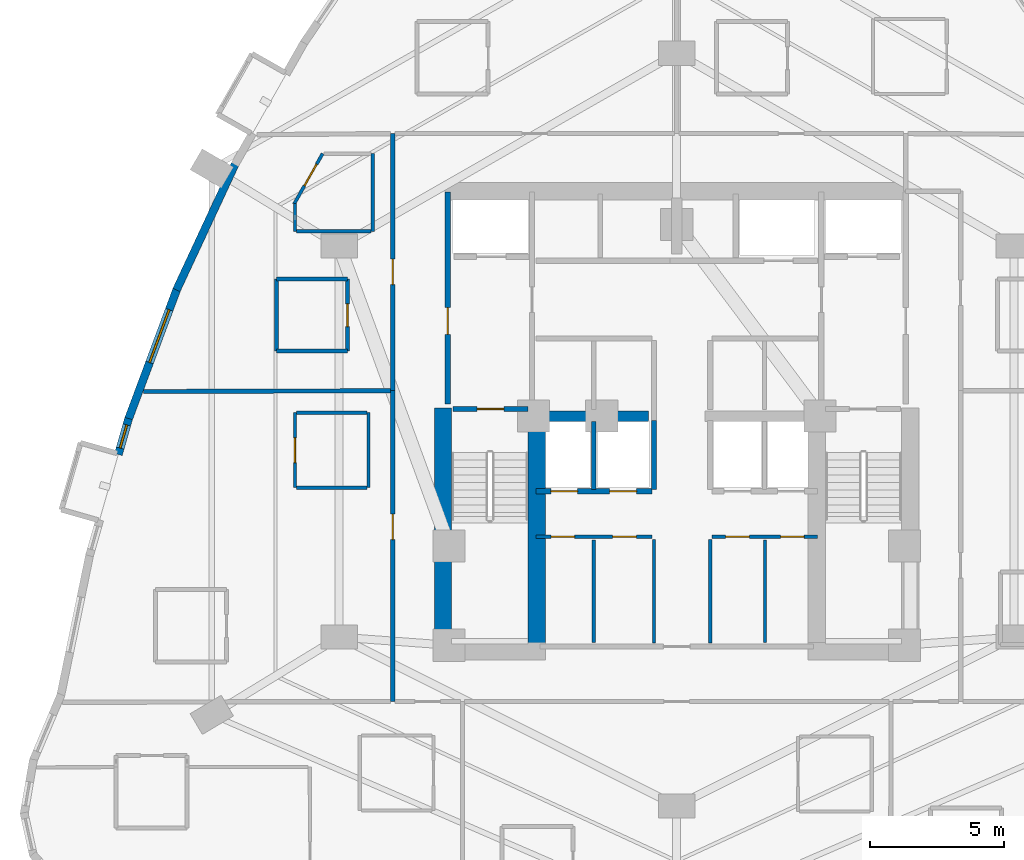
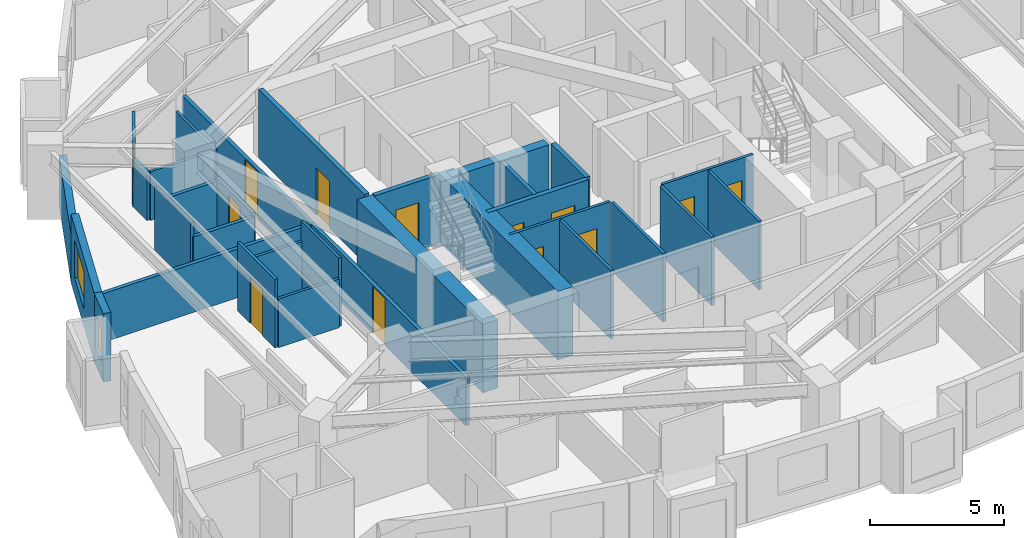
# One storey, part 7 of 13: 32 walls, 13 doors, 2 windows, 15 openings.
"""IFC4 building model written with IfcOpenShell, lengths in metres."""

from ifc_helpers import new_model, si_unit, direction, frame, frame_2d, origin, place, context, subcontext, project, spatial, rectangle, extrude, material, layer, layer_set, type_object, element, fill, save


model = new_model("IFC4")

# Units and contexts
model_context = context("Model", 3, precision=1e-05, world=origin(), true_north=direction((0.0, 1.0)))
body_context = subcontext(model_context, "Body", "Model", "MODEL_VIEW")
ifc_project = project(units=[si_unit("LENGTHUNIT", "METRE"), si_unit("AREAUNIT", "SQUARE_METRE"), si_unit("VOLUMEUNIT", "CUBIC_METRE"), si_unit("PLANEANGLEUNIT", "RADIAN"), si_unit("MASSUNIT", "GRAM", prefix="KILO")], contexts=[model_context])

# Site, building, storey
site_placement = place(None, origin())
site = spatial("IfcSite", under=ifc_project, at=site_placement, CompositionType="ELEMENT")
building_placement = place(site_placement, origin())
building = spatial("IfcBuilding", under=site, at=building_placement, Name="Miruveldt Soraemaru", CompositionType="ELEMENT")
storey_placement = place(building_placement, frame((0.0, 0.0, 70.0)))
storey = spatial("IfcBuildingStorey", under=building, at=storey_placement, Name="L19", CompositionType="ELEMENT", Elevation=70.0)

# Walls
ifc_material_1 = material(Name="Concrete C70/85 (70 MPa)", Category="concrete")
ifc_layer_1 = layer(ifc_material_1, 0.5, Name="Concrete C70/85 (70 MPa)", Category="concrete")
ifc_layer_set_1 = layer_set([ifc_layer_1], Name="Concrete C70/85 (70 MPa)")
wall_type_1 = type_object("IfcWallType", Name="WALL-BW-500", PredefinedType="SHEAR", material=ifc_layer_set_1)
wall_1_placement = place(storey_placement, frame((38.75, 44.050048828125, 0.0), z_axis=(0.0, 0.0, 1.0), x_axis=(1.0, 0.0, 0.0)))
element("IfcWall", 1, at=wall_1_placement, inside=storey, type_object=wall_type_1, Name="L19 Core Buttress Shear Wall BW", PredefinedType="SHEAR", context=body_context, shape_type="SweptSolid", body=[
    extrude(rectangle(XDim=4.199951171875, YDim=0.39990234375, at=frame_2d((2.10009765625, 0.0))), origin(), (0.0, 0.0, 1.0), 3.125),
])
ifc_material_2 = material(Name="Concrete C80/95 (80 MPa)", Category="concrete")
ifc_layer_2 = layer(ifc_material_2, 0.64990234375, Name="Concrete C80/95 (80 MPa)", Category="concrete")
ifc_layer_set_2 = layer_set([ifc_layer_2], Name="Concrete C80/95 (80 MPa)")
wall_type_2 = type_object("IfcWallType", Name="WALL-CW-650", PredefinedType="SHEAR", material=ifc_layer_set_2)
wall_2_placement = place(storey_placement, frame((35.27490234375, 34.949951171875, 0.0), z_axis=(0.0, 0.0, 1.0), x_axis=(0.0, 1.0, 0.0)))
element("IfcWall", 2, at=wall_2_placement, inside=storey, type_object=wall_type_2, Name="L19 Central Core Shear Wall W1", PredefinedType="SHEAR", context=body_context, shape_type="SweptSolid", body=[
    extrude(rectangle(XDim=9.400146484375, YDim=0.64990234375, at=frame_2d((4.7001953125, 0.0))), origin(), (0.0, 0.0, 1.0), 3.125),
])
wall_3_placement = place(storey_placement, frame((38.77490234375, 35.39990234375, 0.0), z_axis=(0.0, 0.0, 1.0), x_axis=(0.0, 1.0, 0.0)))
element("IfcWall", 3, at=wall_3_placement, inside=storey, type_object=wall_type_2, Name="L19 Central Core Shear Wall SW-INT", PredefinedType="SHEAR", context=body_context, shape_type="SweptSolid", body=[
    extrude(rectangle(XDim=8.9501953125, YDim=0.64990234375, at=frame_2d((4.47509765625, 0.0))), origin(), (0.0, 0.0, 1.0), 3.125),
])
ifc_material_3 = material(Name="Precast concrete C45/55 (45 MPa)", Category="concrete")
ifc_layer_3 = layer(ifc_material_3, 0.300048828125, Name="Precast concrete C45/55 (45 MPa)", Category="concrete")
ifc_layer_set_3 = layer_set([ifc_layer_3], Name="Precast concrete C45/55 (45 MPa)")
wall_type_3 = type_object("IfcWallType", Name="WALL-EXT-PC300", PredefinedType="SOLIDWALL", material=ifc_layer_set_3)
wall_4_placement = place(storey_placement, frame((27.534912109375, 53.50341796875, 0.0), z_axis=(0.0, 0.0, 1.0), x_axis=(-0.422302745221, -0.906454847954, 0.0)))
element("IfcWall", 4, at=wall_4_placement, inside=storey, type_object=wall_type_3, Name="L19 Precast Concrete Facade Wall 11", PredefinedType="SOLIDWALL", context=body_context, shape_type="SweptSolid", body=[
    extrude(rectangle(XDim=5.230224609375, YDim=0.300048828125, at=frame_2d((2.615234375, 0.0))), origin(), (0.0, 0.0, 1.0), 2.212890625),
])

# Wall, opening, window
wall_5_placement = place(storey_placement, frame((25.35302734375, 48.826904296875, 0.0), z_axis=(0.0, 0.0, 1.0), x_axis=(-0.349017969633, -0.937116031702, 0.0)))
wall_5 = element("IfcWall", 5, at=wall_5_placement, inside=storey, type_object=wall_type_3, Name="L19 Precast Concrete Facade Wall 12", PredefinedType="SOLIDWALL", context=body_context, shape_type="SweptSolid", body=[
    extrude(rectangle(XDim=5.26318359375, YDim=0.300048828125, at=frame_2d((2.631591796875, 0.0))), origin(), (0.0, 0.0, 1.0), 3.125),
])
opening_1_placement = place(wall_5_placement, frame((0.85693359375, 0.0, 0.800048828125)))
opening_1 = element("IfcOpeningElement", 6, at=opening_1_placement, cuts=wall_5, Name="Opening WN-1", PredefinedType="OPENING", context=body_context, shape_type="SweptSolid", body=[
    extrude(rectangle(XDim=2.10009765625, YDim=1.699951171875, at=frame_2d((1.050048828125, 0.85009765625))), frame((0.0, 0.16015625, 0.0), z_axis=(0.0, -1.0, 0.0), x_axis=(1.0, 0.0, 0.0)), (0.0, 0.0, 1.0), 0.320068359375),
])
ifc_material_4 = material(Name="Triple low-e insulated glazing", Category="glass")
window_type_1 = type_object("IfcWindowType", Name="WIN-PUNCH-2100x1700", PartitioningType="SINGLE_PANEL", PredefinedType="WINDOW", material=ifc_material_4)
window_1_placement = place(opening_1_placement, origin())
window_1 = element("IfcWindow", 7, at=window_1_placement, inside=storey, type_object=window_type_1, Name="L19 Punched Triple-Glazed Window 12.1", OverallHeight=1.699951171875, OverallWidth=2.10009765625, PartitioningType="SINGLE_PANEL", PredefinedType="WINDOW", context=body_context, shape_type="SweptSolid", body=[
    extrude(rectangle(XDim=2.10009765625, YDim=1.699951171875, at=frame_2d((1.050048828125, 0.85009765625))), frame((0.0, 0.030029296875, 0.0), z_axis=(0.0, -1.0, 0.0), x_axis=(1.0, 0.0, 0.0)), (0.0, 0.0, 1.0), 0.06005859375),
])
fill(opening_1, window_1)

wall_6_placement = place(storey_placement, frame((23.5380859375, 43.961181640625, 0.0), z_axis=(0.0, 0.0, 1.0), x_axis=(-0.274952422311, -0.961457833431, 0.0)))
wall_6 = element("IfcWall", 8, at=wall_6_placement, inside=storey, type_object=wall_type_3, Name="L19 Precast Pier Wall 13A", PredefinedType="SOLIDWALL", context=body_context, shape_type="SweptSolid", body=[
    extrude(rectangle(XDim=1.39404296875, YDim=0.300048828125, at=frame_2d((0.697021484375, 0.0))), origin(), (0.0, 0.0, 1.0), 3.125),
])
opening_2_placement = place(wall_6_placement, frame((0.2470703125, 0.0, 0.780029296875)))
opening_2 = element("IfcOpeningElement", 9, at=opening_2_placement, cuts=wall_6, Name="Opening WN-7", PredefinedType="OPENING", context=body_context, shape_type="SweptSolid", body=[
    extrude(rectangle(XDim=0.89990234375, YDim=1.5, at=frame_2d((0.449951171875, 0.75))), frame((0.0, 0.16015625, 0.0), z_axis=(0.0, -1.0, 0.0), x_axis=(1.0, 0.0, 0.0)), (0.0, 0.0, 1.0), 0.320068359375),
])
window_type_2 = type_object("IfcWindowType", Name="WIN-PUNCH-900x1500", PartitioningType="SINGLE_PANEL", PredefinedType="WINDOW", material=ifc_material_4)
window_2_placement = place(opening_2_placement, origin())
window_2 = element("IfcWindow", 10, at=window_2_placement, inside=storey, type_object=window_type_2, Name="L19 Punched Triple-Glazed Window 13A.1", OverallHeight=1.5, OverallWidth=0.89990234375, PartitioningType="SINGLE_PANEL", PredefinedType="WINDOW", context=body_context, shape_type="SweptSolid", body=[
    extrude(rectangle(XDim=0.89990234375, YDim=1.5, at=frame_2d((0.449951171875, 0.75))), frame((0.0, 0.030029296875, 0.0), z_axis=(0.0, -1.0, 0.0), x_axis=(1.0, 0.0, 0.0)), (0.0, 0.0, 1.0), 0.06005859375),
])
fill(opening_2, window_2)

# Wall, openings, doors
ifc_material_5 = material(Name="Gypsum plasterboard lining", Category="gypsum")
ifc_layer_4 = layer(ifc_material_5, 0.1201171875, Name="Gypsum plasterboard lining", Category="gypsum")
ifc_layer_set_4 = layer_set([ifc_layer_4], Name="Gypsum plasterboard lining")
wall_type_4 = type_object("IfcWallType", Name="WALL-INT-P120", PredefinedType="PARTITIONING", material=ifc_layer_set_4)
wall_7_placement = place(storey_placement, frame((38.75, 39.550048828125, 0.0), z_axis=(0.0, 0.0, 1.0), x_axis=(1.0, 0.0, 0.0)))
wall_7 = element("IfcWall", 11, at=wall_7_placement, inside=storey, type_object=wall_type_4, Name="L19 Core Compartment Wall CSW-N", PredefinedType="PARTITIONING", context=body_context, shape_type="SweptSolid", body=[
    extrude(rectangle(XDim=4.330078125, YDim=0.1201171875, at=frame_2d((2.1650390625, 0.0))), origin(), (0.0, 0.0, 1.0), 3.125),
])
opening_3_placement = place(wall_7_placement, frame((0.56005859375, 0.0, 0.0)))
opening_3 = element("IfcOpeningElement", 12, at=opening_3_placement, cuts=wall_7, Name="Opening D4", PredefinedType="OPENING", context=body_context, shape_type="SweptSolid", body=[
    extrude(rectangle(XDim=0.8798828125, YDim=2.10009765625, at=frame_2d((0.43994140625, 1.050048828125))), frame((0.0, 0.070068359375, 0.0), z_axis=(0.0, -1.0, 0.0), x_axis=(1.0, 0.0, 0.0)), (0.0, 0.0, 1.0), 0.14013671875),
])
opening_4_placement = place(wall_7_placement, frame((2.860107421875, 0.0, 0.0)))
opening_4 = element("IfcOpeningElement", 13, at=opening_4_placement, cuts=wall_7, Name="Opening D4", PredefinedType="OPENING", context=body_context, shape_type="SweptSolid", body=[
    extrude(rectangle(XDim=0.8798828125, YDim=2.10009765625, at=frame_2d((0.43994140625, 1.050048828125))), frame((0.0, 0.070068359375, 0.0), z_axis=(0.0, -1.0, 0.0), x_axis=(1.0, 0.0, 0.0)), (0.0, 0.0, 1.0), 0.14013671875),
])
ifc_material_6 = material(Name="Anodised aluminium EN AW-6063 T6", Category="aluminium")
door_type_1 = type_object("IfcDoorType", Name="DOOR-INT-880", OperationType="NOTDEFINED", PredefinedType="DOOR", material=ifc_material_6)
door_1_placement = place(opening_3_placement, origin())
door_1 = element("IfcDoor", 14, at=door_1_placement, inside=storey, type_object=door_type_1, Name="L19 Fire Door", OperationType="SINGLE_SWING_LEFT", OverallHeight=2.10009765625, OverallWidth=0.8798828125, PredefinedType="DOOR", context=body_context, shape_type="SweptSolid", body=[
    extrude(rectangle(XDim=0.8798828125, YDim=2.10009765625, at=frame_2d((0.43994140625, 1.050048828125))), frame((0.0, 0.02490234375, 0.0), z_axis=(0.0, -1.0, 0.0), x_axis=(1.0, 0.0, 0.0)), (0.0, 0.0, 1.0), 0.050048828125),
])
fill(opening_3, door_1)
door_2_placement = place(opening_4_placement, origin())
door_2 = element("IfcDoor", 15, at=door_2_placement, inside=storey, type_object=door_type_1, Name="L19 Fire Door", OperationType="SINGLE_SWING_LEFT", OverallHeight=2.10009765625, OverallWidth=0.8798828125, PredefinedType="DOOR", context=body_context, shape_type="SweptSolid", body=[
    extrude(rectangle(XDim=0.8798828125, YDim=2.10009765625, at=frame_2d((0.43994140625, 1.050048828125))), frame((0.0, 0.02490234375, 0.0), z_axis=(0.0, -1.0, 0.0), x_axis=(1.0, 0.0, 0.0)), (0.0, 0.0, 1.0), 0.050048828125),
])
fill(opening_4, door_2)

wall_8_placement = place(storey_placement, frame((45.320068359375, 39.550048828125, 0.0), z_axis=(0.0, 0.0, 1.0), x_axis=(1.0, 0.0, 0.0)))
wall_8 = element("IfcWall", 16, at=wall_8_placement, inside=storey, type_object=wall_type_4, Name="L19 Core Compartment Wall CSE-N", PredefinedType="PARTITIONING", context=body_context, shape_type="SweptSolid", body=[
    extrude(rectangle(XDim=3.929931640625, YDim=0.1201171875, at=frame_2d((1.96484375, 0.0))), origin(), (0.0, 0.0, 1.0), 3.125),
])
opening_5_placement = place(wall_8_placement, frame((0.510009765625, 0.0, 0.0)))
opening_5 = element("IfcOpeningElement", 17, at=opening_5_placement, cuts=wall_8, Name="Opening D4", PredefinedType="OPENING", context=body_context, shape_type="SweptSolid", body=[
    extrude(rectangle(XDim=0.8798828125, YDim=2.10009765625, at=frame_2d((0.43994140625, 1.050048828125))), frame((0.0, 0.070068359375, 0.0), z_axis=(0.0, -1.0, 0.0), x_axis=(1.0, 0.0, 0.0)), (0.0, 0.0, 1.0), 0.14013671875),
])
opening_6_placement = place(wall_8_placement, frame((2.56005859375, 0.0, 0.0)))
opening_6 = element("IfcOpeningElement", 18, at=opening_6_placement, cuts=wall_8, Name="Opening D4", PredefinedType="OPENING", context=body_context, shape_type="SweptSolid", body=[
    extrude(rectangle(XDim=0.8798828125, YDim=2.10009765625, at=frame_2d((0.43994140625, 1.050048828125))), frame((0.0, 0.070068359375, 0.0), z_axis=(0.0, -1.0, 0.0), x_axis=(1.0, 0.0, 0.0)), (0.0, 0.0, 1.0), 0.14013671875),
])
door_3_placement = place(opening_5_placement, origin())
door_3 = element("IfcDoor", 19, at=door_3_placement, inside=storey, type_object=door_type_1, Name="L19 Fire Door", OperationType="SINGLE_SWING_LEFT", OverallHeight=2.10009765625, OverallWidth=0.8798828125, PredefinedType="DOOR", context=body_context, shape_type="SweptSolid", body=[
    extrude(rectangle(XDim=0.8798828125, YDim=2.10009765625, at=frame_2d((0.43994140625, 1.050048828125))), frame((0.0, 0.02490234375, 0.0), z_axis=(0.0, -1.0, 0.0), x_axis=(1.0, 0.0, 0.0)), (0.0, 0.0, 1.0), 0.050048828125),
])
fill(opening_5, door_3)
door_4_placement = place(opening_6_placement, origin())
door_4 = element("IfcDoor", 20, at=door_4_placement, inside=storey, type_object=door_type_1, Name="L19 Fire Door", OperationType="SINGLE_SWING_LEFT", OverallHeight=2.10009765625, OverallWidth=0.8798828125, PredefinedType="DOOR", context=body_context, shape_type="SweptSolid", body=[
    extrude(rectangle(XDim=0.8798828125, YDim=2.10009765625, at=frame_2d((0.43994140625, 1.050048828125))), frame((0.0, 0.02490234375, 0.0), z_axis=(0.0, -1.0, 0.0), x_axis=(1.0, 0.0, 0.0)), (0.0, 0.0, 1.0), 0.050048828125),
])
fill(opening_6, door_4)

# Wall, opening, door
wall_9_placement = place(storey_placement, frame((29.74609375, 44.179931640625, 0.0), z_axis=(0.0, 0.0, 1.0), x_axis=(0.0, -1.0, 0.0)))
wall_9 = element("IfcWall", 21, at=wall_9_placement, inside=storey, type_object=wall_type_4, Name="L19 Partition Wall 58", PredefinedType="PARTITIONING", context=body_context, shape_type="SweptSolid", body=[
    extrude(rectangle(XDim=2.800048828125, YDim=0.1201171875, at=frame_2d((1.39990234375, 0.0))), origin(), (0.0, 0.0, 1.0), 3.125),
])
opening_7_placement = place(wall_9_placement, frame((0.93994140625, 0.0, 0.0)))
opening_7 = element("IfcOpeningElement", 22, at=opening_7_placement, cuts=wall_9, Name="Opening D3A", PredefinedType="OPENING", context=body_context, shape_type="SweptSolid", body=[
    extrude(rectangle(XDim=0.919921875, YDim=2.10009765625, at=frame_2d((0.4599609375, 1.050048828125))), frame((0.0, 0.070068359375, 0.0), z_axis=(0.0, -1.0, 0.0), x_axis=(1.0, 0.0, 0.0)), (0.0, 0.0, 1.0), 0.14013671875),
])
door_type_2 = type_object("IfcDoorType", Name="DOOR-INT-920", OperationType="NOTDEFINED", PredefinedType="DOOR", material=ifc_material_6)
door_5_placement = place(opening_7_placement, origin())
door_5 = element("IfcDoor", 23, at=door_5_placement, inside=storey, type_object=door_type_2, Name="L19 Unit CL04 KIT Door", OperationType="SINGLE_SWING_RIGHT", OverallHeight=2.10009765625, OverallWidth=0.919921875, PredefinedType="DOOR", context=body_context, shape_type="SweptSolid", body=[
    extrude(rectangle(XDim=0.919921875, YDim=2.10009765625, at=frame_2d((0.4599609375, 1.050048828125))), frame((0.0, 0.02490234375, 0.0), z_axis=(0.0, -1.0, 0.0), x_axis=(1.0, 0.0, 0.0)), (0.0, 0.0, 1.0), 0.050048828125),
])
fill(opening_7, door_5)

wall_10_placement = place(storey_placement, frame((29.71533203125, 51.969970703125, 0.0), z_axis=(0.0, 0.0, 1.0), x_axis=(0.493106630174, 0.869968879489, 0.0)))
wall_10 = element("IfcWall", 24, at=wall_10_placement, inside=storey, type_object=wall_type_4, Name="L19 Partition Wall 48", PredefinedType="PARTITIONING", context=body_context, shape_type="SweptSolid", body=[
    extrude(rectangle(XDim=2.1611328125, YDim=0.1201171875, at=frame_2d((1.08056640625, 0.0))), origin(), (0.0, 0.0, 1.0), 2.863037109375),
])
opening_8_placement = place(wall_10_placement, frame((0.785888671875, 0.0, 0.0)))
opening_8 = element("IfcOpeningElement", 25, at=opening_8_placement, cuts=wall_10, Name="Opening D3A", PredefinedType="OPENING", context=body_context, shape_type="SweptSolid", body=[
    extrude(rectangle(XDim=0.919921875, YDim=2.10009765625, at=frame_2d((0.4599609375, 1.050048828125))), frame((0.0, 0.070068359375, 0.0), z_axis=(0.0, -1.0, 0.0), x_axis=(1.0, 0.0, 0.0)), (0.0, 0.0, 1.0), 0.14013671875),
])
door_6_placement = place(opening_8_placement, origin())
door_6 = element("IfcDoor", 26, at=door_6_placement, inside=storey, type_object=door_type_2, Name="L19 Unit 1903 KIT Door", OperationType="SINGLE_SWING_LEFT", OverallHeight=2.10009765625, OverallWidth=0.919921875, PredefinedType="DOOR", context=body_context, shape_type="SweptSolid", body=[
    extrude(rectangle(XDim=0.919921875, YDim=2.10009765625, at=frame_2d((0.4599609375, 1.050048828125))), frame((0.0, 0.02490234375, 0.0), z_axis=(0.0, -1.0, 0.0), x_axis=(1.0, 0.0, 0.0)), (0.0, 0.0, 1.0), 0.050048828125),
])
fill(opening_8, door_6)

# Walls
for number, where, z_axis, x_axis, name in (
    (27, (43.14990234375, 35.580078125, 0.0), (0.0, 0.0, 1.0), (0.0, 1.0, 0.0), "L19 Core Compartment Wall SP-WS"),
    (28, (45.25, 35.580078125, 0.0), (0.0, 0.0, 1.0), (0.0, 1.0, 0.0), "L19 Core Compartment Wall SP-ES"),
):
    element("IfcWall", number, at=place(storey_placement, frame(where, z_axis=z_axis, x_axis=x_axis)), inside=storey, type_object=wall_type_4, Name=name, PredefinedType="PARTITIONING", context=body_context, shape_type="SweptSolid", body=[
        extrude(rectangle(XDim=3.869873046875, YDim=0.1201171875, at=frame_2d((1.93505859375, 0.0))), origin(), (0.0, 0.0, 1.0), 3.125),
    ])
for number, where, z_axis, x_axis, name in (
    (29, (40.89990234375, 35.60009765625, 0.0), (0.0, 0.0, 1.0), (0.0, 1.0, 0.0), "L19 Core Compartment Wall CW2-V"),
    (30, (47.300048828125, 35.60009765625, 0.0), (0.0, 0.0, 1.0), (0.0, 1.0, 0.0), "L19 Core Compartment Wall CE2-V"),
):
    element("IfcWall", number, at=place(storey_placement, frame(where, z_axis=z_axis, x_axis=x_axis)), inside=storey, type_object=wall_type_4, Name=name, PredefinedType="PARTITIONING", context=body_context, shape_type="SweptSolid", body=[
        extrude(rectangle(XDim=3.81982421875, YDim=0.1201171875, at=frame_2d((1.909912109375, 0.0))), origin(), (0.0, 0.0, 1.0), 3.125),
    ])
wall_11_placement = place(storey_placement, frame((32.64990234375, 53.85009765625, 0.0), z_axis=(0.0, 0.0, 1.0), x_axis=(0.0, -1.0, 0.0)))
element("IfcWall", 31, at=wall_11_placement, inside=storey, type_object=wall_type_4, Name="L19 Partition Wall 50", PredefinedType="PARTITIONING", context=body_context, shape_type="SweptSolid", body=[
    extrude(rectangle(XDim=2.900146484375, YDim=0.1201171875, at=frame_2d((1.4501953125, 0.0))), origin(), (0.0, 0.0, 1.0), 2.219970703125),
])
wall_12_placement = place(storey_placement, frame((32.49609375, 41.3798828125, 0.0), z_axis=(0.0, 0.0, 1.0), x_axis=(0.0, 1.0, 0.0)))
element("IfcWall", 32, at=wall_12_placement, inside=storey, type_object=wall_type_4, Name="L19 Partition Wall 56", PredefinedType="PARTITIONING", context=body_context, shape_type="SweptSolid", body=[
    extrude(rectangle(XDim=2.800048828125, YDim=0.1201171875, at=frame_2d((1.39990234375, 0.0))), origin(), (0.0, 0.0, 1.0), 3.125),
])
wall_13_placement = place(storey_placement, frame((32.590087890625, 50.949951171875, 0.0), z_axis=(0.0, 0.0, 1.0), x_axis=(-1.0, 0.0, 0.0)))
element("IfcWall", 33, at=wall_13_placement, inside=storey, type_object=wall_type_4, Name="L19 Partition Wall 46", PredefinedType="PARTITIONING", context=body_context, shape_type="SweptSolid", body=[
    extrude(rectangle(XDim=2.780029296875, YDim=0.1201171875, at=frame_2d((1.39013671875, 0.0))), origin(), (0.0, 0.0, 1.0), 2.219970703125),
])
for number, where, z_axis, x_axis, name in (
    (34, (32.43603515625, 44.179931640625, 0.0), (0.0, 0.0, 1.0), (-1.0, 0.0, 0.0), "L19 Partition Wall 57"),
    (35, (29.805908203125, 41.3798828125, 0.0), (0.0, 0.0, 1.0), (1.0, 0.0, 0.0), "L19 Partition Wall 59"),
):
    element("IfcWall", number, at=place(storey_placement, frame(where, z_axis=z_axis, x_axis=x_axis)), inside=storey, type_object=wall_type_4, Name=name, PredefinedType="PARTITIONING", context=body_context, shape_type="SweptSolid", body=[
        extrude(rectangle(XDim=2.630126953125, YDim=0.1201171875, at=frame_2d((1.31494140625, 0.0))), origin(), (0.0, 0.0, 1.0), 2.219970703125),
    ])
wall_14_placement = place(storey_placement, frame((29.75, 50.949951171875, 0.0), z_axis=(0.0, 0.0, 1.0), x_axis=(0.0, 1.0, 0.0)))
element("IfcWall", 36, at=wall_14_placement, inside=storey, type_object=wall_type_4, Name="L19 Partition Wall 47", PredefinedType="PARTITIONING", context=body_context, shape_type="SweptSolid", body=[
    extrude(rectangle(XDim=1.032958984375, YDim=0.1201171875, at=frame_2d((0.5166015625, 0.0))), origin(), (0.0, 0.0, 1.0), 2.219970703125),
])

# Wall, opening, door
ifc_layer_5 = layer(ifc_material_5, 0.14990234375, Name="Gypsum plasterboard lining", Category="gypsum")
ifc_layer_set_5 = layer_set([ifc_layer_5], Name="Gypsum plasterboard lining")
wall_type_5 = type_object("IfcWallType", Name="WALL-INT-PLUMB", PredefinedType="PLUMBINGWALL", material=ifc_layer_set_5)
wall_15_placement = place(storey_placement, frame((31.715087890625, 46.47998046875, 0.0), z_axis=(0.0, 0.0, 1.0), x_axis=(0.0, 1.0, 0.0)))
wall_15 = element("IfcWall", 37, at=wall_15_placement, inside=storey, type_object=wall_type_5, Name="L19 Partition Wall 42", PredefinedType="PLUMBINGWALL", context=body_context, shape_type="SweptSolid", body=[
    extrude(rectangle(XDim=2.699951171875, YDim=0.14990234375, at=frame_2d((1.35009765625, 0.0))), origin(), (0.0, 0.0, 1.0), 2.363037109375),
])
opening_9_placement = place(wall_15_placement, frame((0.909912109375, 0.0, 0.0)))
opening_9 = element("IfcOpeningElement", 38, at=opening_9_placement, cuts=wall_15, Name="Opening FD3", PredefinedType="OPENING", context=body_context, shape_type="SweptSolid", body=[
    extrude(rectangle(XDim=0.85009765625, YDim=2.10009765625, at=frame_2d((0.425048828125, 1.050048828125))), frame((0.0, 0.0849609375, 0.0), z_axis=(0.0, -1.0, 0.0), x_axis=(1.0, 0.0, 0.0)), (0.0, 0.0, 1.0), 0.169921875),
])
door_type_3 = type_object("IfcDoorType", Name="DOOR-FD3-850", OperationType="NOTDEFINED", PredefinedType="DOOR", material=ifc_material_6)
door_7_placement = place(opening_9_placement, origin())
door_7 = element("IfcDoor", 39, at=door_7_placement, inside=storey, type_object=door_type_3, Name="L19 Unit 1903 BTH Door", OperationType="SINGLE_SWING_RIGHT", OverallHeight=2.10009765625, OverallWidth=0.85009765625, PredefinedType="DOOR", context=body_context, shape_type="SweptSolid", body=[
    extrude(rectangle(XDim=0.85009765625, YDim=2.10009765625, at=frame_2d((0.425048828125, 1.050048828125))), frame((0.0, 0.02490234375, 0.0), z_axis=(0.0, -1.0, 0.0), x_axis=(1.0, 0.0, 0.0)), (0.0, 0.0, 1.0), 0.050048828125),
])
fill(opening_9, door_7)

# Walls
wall_16_placement = place(storey_placement, frame((29.06494140625, 49.179931640625, 0.0), z_axis=(0.0, 0.0, 1.0), x_axis=(0.0, -1.0, 0.0)))
element("IfcWall", 40, at=wall_16_placement, inside=storey, type_object=wall_type_5, Name="L19 Partition Wall 44", PredefinedType="PLUMBINGWALL", context=body_context, shape_type="SweptSolid", body=[
    extrude(rectangle(XDim=2.699951171875, YDim=0.14990234375, at=frame_2d((1.35009765625, 0.0))), origin(), (0.0, 0.0, 1.0), 2.863037109375),
])
for number, where, z_axis, x_axis, name in (
    (41, (31.715087890625, 49.179931640625, 0.0), (0.0, 0.0, 1.0), (-1.0, 0.0, 0.0), "L19 Partition Wall 43"),
    (42, (29.06494140625, 46.47998046875, 0.0), (0.0, 0.0, 1.0), (1.0, 0.0, 0.0), "L19 Partition Wall 45"),
):
    element("IfcWall", number, at=place(storey_placement, frame(where, z_axis=z_axis, x_axis=x_axis)), inside=storey, type_object=wall_type_5, Name=name, PredefinedType="PLUMBINGWALL", context=body_context, shape_type="SweptSolid", body=[
        extrude(rectangle(XDim=2.650146484375, YDim=0.14990234375, at=frame_2d((1.3251953125, 0.0))), origin(), (0.0, 0.0, 1.0), 2.219970703125),
    ])

# Wall, opening, door
ifc_material_7 = material(Name="Concrete C40/50 (40 MPa)", Category="concrete")
ifc_layer_6 = layer(ifc_material_7, 0.159912109375, Name="Concrete C40/50 (40 MPa)", Category="concrete")
ifc_layer_set_6 = layer_set([ifc_layer_6], Name="Concrete C40/50 (40 MPa)")
wall_type_6 = type_object("IfcWallType", Name="WALL-INT-RC160", PredefinedType="SOLIDWALL", material=ifc_layer_set_6)
wall_17_placement = place(storey_placement, frame((33.39990234375, 45.0, 0.0), z_axis=(0.0, 0.0, 1.0), x_axis=(0.0, -1.0, 0.0)))
wall_17 = element("IfcWall", 43, at=wall_17_placement, inside=storey, type_object=wall_type_6, Name="L19 Partition Wall 4", PredefinedType="SOLIDWALL", context=body_context, shape_type="SweptSolid", body=[
    extrude(rectangle(XDim=11.60009765625, YDim=0.159912109375, at=frame_2d((5.800048828125, 0.0))), origin(), (0.0, 0.0, 1.0), 2.219970703125),
])
opening_10_placement = place(wall_17_placement, frame((4.60498046875, 0.0, 0.0)))
opening_10 = element("IfcOpeningElement", 44, at=opening_10_placement, cuts=wall_17, Name="Opening FD2", PredefinedType="OPENING", context=body_context, shape_type="SweptSolid", body=[
    extrude(rectangle(XDim=0.949951171875, YDim=2.14990234375, at=frame_2d((0.47509765625, 1.074951171875))), frame((0.0, 0.08984375, 0.0), z_axis=(0.0, -1.0, 0.0), x_axis=(1.0, 0.0, 0.0)), (0.0, 0.0, 1.0), 0.179931640625),
])
door_type_4 = type_object("IfcDoorType", Name="DOOR-FD2-950", OperationType="NOTDEFINED", PredefinedType="DOOR", material=ifc_material_6)
door_8_placement = place(opening_10_placement, origin())
door_8 = element("IfcDoor", 45, at=door_8_placement, inside=storey, type_object=door_type_4, Name="L19 Unit CL04 Entrance Fire Door", OperationType="SINGLE_SWING_RIGHT", OverallHeight=2.14990234375, OverallWidth=0.949951171875, PredefinedType="DOOR", context=body_context, shape_type="SweptSolid", body=[
    extrude(rectangle(XDim=0.949951171875, YDim=2.14990234375, at=frame_2d((0.47509765625, 1.074951171875))), frame((0.0, 0.02490234375, 0.0), z_axis=(0.0, -1.0, 0.0), x_axis=(1.0, 0.0, 0.0)), (0.0, 0.0, 1.0), 0.050048828125),
])
fill(opening_10, door_8)

wall_18_placement = place(storey_placement, frame((33.39990234375, 54.60009765625, 0.0), z_axis=(0.0, 0.0, 1.0), x_axis=(0.0, -1.0, 0.0)))
wall_18 = element("IfcWall", 46, at=wall_18_placement, inside=storey, type_object=wall_type_6, Name="L19 Partition Wall 3", PredefinedType="SOLIDWALL", context=body_context, shape_type="SweptSolid", body=[
    extrude(rectangle(XDim=9.60009765625, YDim=0.159912109375, at=frame_2d((4.800048828125, 0.0))), origin(), (0.0, 0.0, 1.0), 2.219970703125),
])
opening_11_placement = place(wall_18_placement, frame((4.68505859375, 0.0, 0.0)))
opening_11 = element("IfcOpeningElement", 47, at=opening_11_placement, cuts=wall_18, Name="Opening FD2", PredefinedType="OPENING", context=body_context, shape_type="SweptSolid", body=[
    extrude(rectangle(XDim=0.949951171875, YDim=2.14990234375, at=frame_2d((0.47509765625, 1.074951171875))), frame((0.0, 0.08984375, 0.0), z_axis=(0.0, -1.0, 0.0), x_axis=(1.0, 0.0, 0.0)), (0.0, 0.0, 1.0), 0.179931640625),
])
door_9_placement = place(opening_11_placement, origin())
door_9 = element("IfcDoor", 48, at=door_9_placement, inside=storey, type_object=door_type_4, Name="L19 Unit 1903 Entrance Fire Door", OperationType="SINGLE_SWING_LEFT", OverallHeight=2.14990234375, OverallWidth=0.949951171875, PredefinedType="DOOR", context=body_context, shape_type="SweptSolid", body=[
    extrude(rectangle(XDim=0.949951171875, YDim=2.14990234375, at=frame_2d((0.47509765625, 1.074951171875))), frame((0.0, 0.02490234375, 0.0), z_axis=(0.0, -1.0, 0.0), x_axis=(1.0, 0.0, 0.0)), (0.0, 0.0, 1.0), 0.050048828125),
])
fill(opening_11, door_9)

# Walls
wall_19_placement = place(storey_placement, frame((24.093017578125, 44.969970703125, 0.0), z_axis=(0.0, 0.0, 1.0), x_axis=(0.999994704206, 0.003254467604, 0.0)))
element("IfcWall", 49, at=wall_19_placement, inside=storey, type_object=wall_type_6, Name="L19 Partition Wall 51", PredefinedType="SOLIDWALL", context=body_context, shape_type="SweptSolid", body=[
    extrude(rectangle(XDim=9.22705078125, YDim=0.159912109375, at=frame_2d((4.613525390625, 0.0))), origin(), (0.0, 0.0, 1.0), 2.219970703125),
])
wall_20_placement = place(storey_placement, frame((40.89990234375, 41.320068359375, 0.0), z_axis=(0.0, 0.0, 1.0), x_axis=(0.0, 1.0, 0.0)))
element("IfcWall", 50, at=wall_20_placement, inside=storey, type_object=wall_type_6, Name="L19 Core Compartment Wall PLL-DW", PredefinedType="SOLIDWALL", context=body_context, shape_type="SweptSolid", body=[
    extrude(rectangle(XDim=2.530029296875, YDim=0.159912109375, at=frame_2d((1.26513671875, 0.0))), origin(), (0.0, 0.0, 1.0), 3.125),
])

# Wall, opening, door
ifc_layer_7 = layer(ifc_material_7, 0.199951171875, Name="Concrete C40/50 (40 MPa)", Category="concrete")
ifc_layer_set_7 = layer_set([ifc_layer_7], Name="Concrete C40/50 (40 MPa)")
wall_type_7 = type_object("IfcWallType", Name="WALL-INT-RC200", PredefinedType="SOLIDWALL", material=ifc_layer_set_7)
wall_21_placement = place(storey_placement, frame((35.449951171875, 44.5, 0.0), z_axis=(0.0, 0.0, 1.0), x_axis=(0.0, 1.0, 0.0)))
wall_21 = element("IfcWall", 51, at=wall_21_placement, inside=storey, type_object=wall_type_7, Name="L19 Core Compartment Wall FFW-OUT", PredefinedType="SOLIDWALL", context=body_context, shape_type="SweptSolid", body=[
    extrude(rectangle(XDim=7.919921875, YDim=0.199951171875, at=frame_2d((3.9599609375, 0.0))), origin(), (0.0, 0.0, 1.0), 3.125),
])
opening_12_placement = place(wall_21_placement, frame((2.60009765625, 0.0, 0.0)))
opening_12 = element("IfcOpeningElement", 52, at=opening_12_placement, cuts=wall_21, Name="Opening FD1", PredefinedType="OPENING", context=body_context, shape_type="SweptSolid", body=[
    extrude(rectangle(XDim=1.0, YDim=2.14990234375, at=frame_2d((0.5, 1.074951171875))), frame((0.0, 0.10986328125, 0.0), z_axis=(0.0, -1.0, 0.0), x_axis=(1.0, 0.0, 0.0)), (0.0, 0.0, 1.0), 0.219970703125),
])
door_type_5 = type_object("IfcDoorType", Name="DOOR-FD1-1000", OperationType="NOTDEFINED", PredefinedType="DOOR", material=ifc_material_6)
door_10_placement = place(opening_12_placement, origin())
door_10 = element("IfcDoor", 53, at=door_10_placement, inside=storey, type_object=door_type_5, Name="L19 West Firefighting Lobby Exit Door", OperationType="SINGLE_SWING_LEFT", OverallHeight=2.14990234375, OverallWidth=1.0, PredefinedType="DOOR", context=body_context, shape_type="SweptSolid", body=[
    extrude(rectangle(XDim=1.0, YDim=2.14990234375, at=frame_2d((0.5, 1.074951171875))), frame((0.0, 0.02490234375, 0.0), z_axis=(0.0, -1.0, 0.0), x_axis=(1.0, 0.0, 0.0)), (0.0, 0.0, 1.0), 0.050048828125),
])
fill(opening_12, door_10)

# Wall, openings, doors
wall_22_placement = place(storey_placement, frame((38.75, 41.25, 0.0), z_axis=(0.0, 0.0, 1.0), x_axis=(1.0, 0.0, 0.0)))
wall_22 = element("IfcWall", 54, at=wall_22_placement, inside=storey, type_object=wall_type_7, Name="L19 Core Compartment Wall LBW-S", PredefinedType="SOLIDWALL", context=body_context, shape_type="SweptSolid", body=[
    extrude(rectangle(XDim=4.330078125, YDim=0.199951171875, at=frame_2d((2.1650390625, 0.0))), origin(), (0.0, 0.0, 1.0), 3.125),
])
opening_13_placement = place(wall_22_placement, frame((0.550048828125, 0.0, 0.0)))
opening_13 = element("IfcOpeningElement", 55, at=opening_13_placement, cuts=wall_22, Name="Opening LD1B", PredefinedType="OPENING", context=body_context, shape_type="SweptSolid", body=[
    extrude(rectangle(XDim=1.0, YDim=2.14990234375, at=frame_2d((0.5, 1.074951171875))), frame((0.0, 0.10986328125, 0.0), z_axis=(0.0, -1.0, 0.0), x_axis=(1.0, 0.0, 0.0)), (0.0, 0.0, 1.0), 0.219970703125),
])
opening_14_placement = place(wall_22_placement, frame((2.75, 0.0, 0.0)))
opening_14 = element("IfcOpeningElement", 56, at=opening_14_placement, cuts=wall_22, Name="Opening LD1B", PredefinedType="OPENING", context=body_context, shape_type="SweptSolid", body=[
    extrude(rectangle(XDim=1.0, YDim=2.14990234375, at=frame_2d((0.5, 1.074951171875))), frame((0.0, 0.10986328125, 0.0), z_axis=(0.0, -1.0, 0.0), x_axis=(1.0, 0.0, 0.0)), (0.0, 0.0, 1.0), 0.219970703125),
])
door_type_6 = type_object("IfcDoorType", Name="DOOR-LD1-1000", OperationType="SLIDING_TO_LEFT", PredefinedType="DOOR", material=ifc_material_6)
door_11_placement = place(opening_13_placement, frame((1.0, 0.0, 0.0), z_axis=(0.0, 0.0, 1.0), x_axis=(-1.0, 0.0, 0.0)))
door_11 = element("IfcDoor", 57, at=door_11_placement, inside=storey, type_object=door_type_6, Name="L19 PL-L1 Landing Door", OperationType="SLIDING_TO_LEFT", OverallHeight=2.14990234375, OverallWidth=1.0, PredefinedType="DOOR", context=body_context, shape_type="SweptSolid", body=[
    extrude(rectangle(XDim=1.0, YDim=2.14990234375, at=frame_2d((0.5, 1.074951171875))), frame((0.0, 0.02490234375, 0.0), z_axis=(0.0, -1.0, 0.0), x_axis=(1.0, 0.0, 0.0)), (0.0, 0.0, 1.0), 0.050048828125),
])
fill(opening_13, door_11)
door_12_placement = place(opening_14_placement, frame((1.0, 0.0, 0.0), z_axis=(0.0, 0.0, 1.0), x_axis=(-1.0, 0.0, 0.0)))
door_12 = element("IfcDoor", 58, at=door_12_placement, inside=storey, type_object=door_type_6, Name="L19 PL-L2 Landing Door", OperationType="SLIDING_TO_LEFT", OverallHeight=2.14990234375, OverallWidth=1.0, PredefinedType="DOOR", context=body_context, shape_type="SweptSolid", body=[
    extrude(rectangle(XDim=1.0, YDim=2.14990234375, at=frame_2d((0.5, 1.074951171875))), frame((0.0, 0.02490234375, 0.0), z_axis=(0.0, -1.0, 0.0), x_axis=(1.0, 0.0, 0.0)), (0.0, 0.0, 1.0), 0.050048828125),
])
fill(opening_14, door_12)

# Wall, opening, door
wall_23_placement = place(storey_placement, frame((35.64990234375, 44.320068359375, 0.0), z_axis=(0.0, 0.0, 1.0), x_axis=(1.0, 0.0, 0.0)))
wall_23 = element("IfcWall", 59, at=wall_23_placement, inside=storey, type_object=wall_type_7, Name="L19 Core Compartment Wall ST1-N", PredefinedType="SOLIDWALL", context=body_context, shape_type="SweptSolid", body=[
    extrude(rectangle(XDim=2.800048828125, YDim=0.199951171875, at=frame_2d((1.39990234375, 0.0))), origin(), (0.0, 0.0, 1.0), 3.125),
])
opening_15_placement = place(wall_23_placement, frame((0.89990234375, 0.0, 0.0)))
opening_15 = element("IfcOpeningElement", 60, at=opening_15_placement, cuts=wall_23, Name="Opening FD1", PredefinedType="OPENING", context=body_context, shape_type="SweptSolid", body=[
    extrude(rectangle(XDim=1.0, YDim=2.14990234375, at=frame_2d((0.5, 1.074951171875))), frame((0.0, 0.10986328125, 0.0), z_axis=(0.0, -1.0, 0.0), x_axis=(1.0, 0.0, 0.0)), (0.0, 0.0, 1.0), 0.219970703125),
])
door_13_placement = place(opening_15_placement, frame((1.0, 0.0, 0.0), z_axis=(0.0, 0.0, 1.0), x_axis=(-1.0, 0.0, 0.0)))
door_13 = element("IfcDoor", 61, at=door_13_placement, inside=storey, type_object=door_type_5, Name="L19 Stair ST-1 Fire Door", OperationType="SINGLE_SWING_LEFT", OverallHeight=2.14990234375, OverallWidth=1.0, PredefinedType="DOOR", context=body_context, shape_type="SweptSolid", body=[
    extrude(rectangle(XDim=1.0, YDim=2.14990234375, at=frame_2d((0.5, 1.074951171875))), frame((0.0, 0.02490234375, 0.0), z_axis=(0.0, -1.0, 0.0), x_axis=(1.0, 0.0, 0.0)), (0.0, 0.0, 1.0), 0.050048828125),
])
fill(opening_15, door_13)

# Wall
wall_24_placement = place(storey_placement, frame((43.14990234375, 41.320068359375, 0.0), z_axis=(0.0, 0.0, 1.0), x_axis=(0.0, 1.0, 0.0)))
element("IfcWall", 62, at=wall_24_placement, inside=storey, type_object=wall_type_7, Name="L19 Core Compartment Wall SP-WC", PredefinedType="SOLIDWALL", context=body_context, shape_type="SweptSolid", body=[
    extrude(rectangle(XDim=2.559814453125, YDim=0.199951171875, at=frame_2d((1.27978515625, 0.0))), origin(), (0.0, 0.0, 1.0), 3.125),
])

save(model, "model.ifc")
